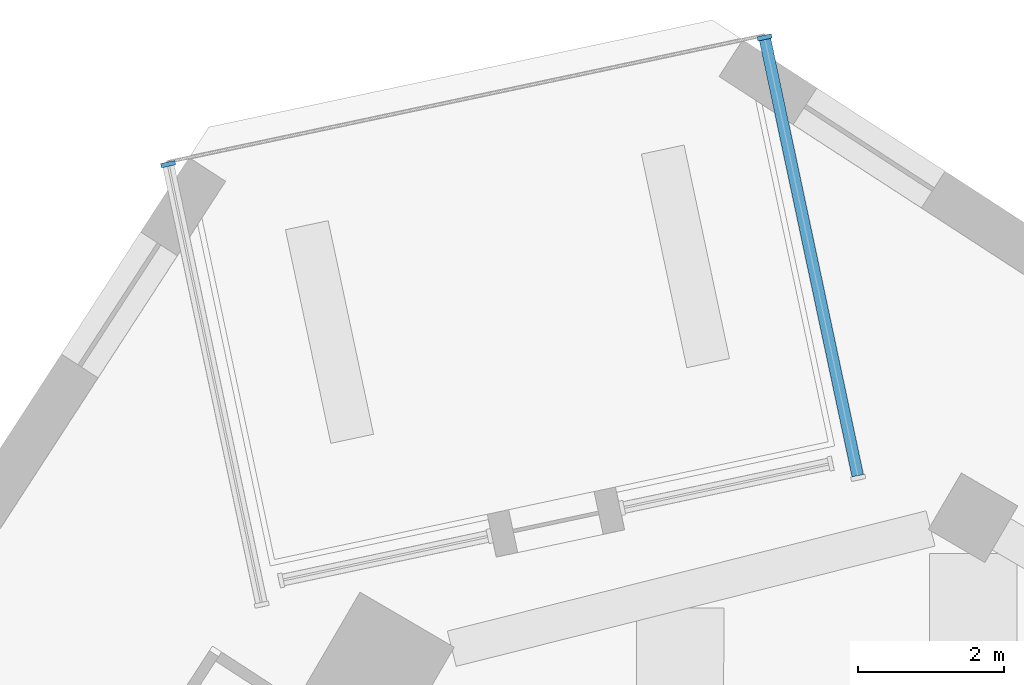
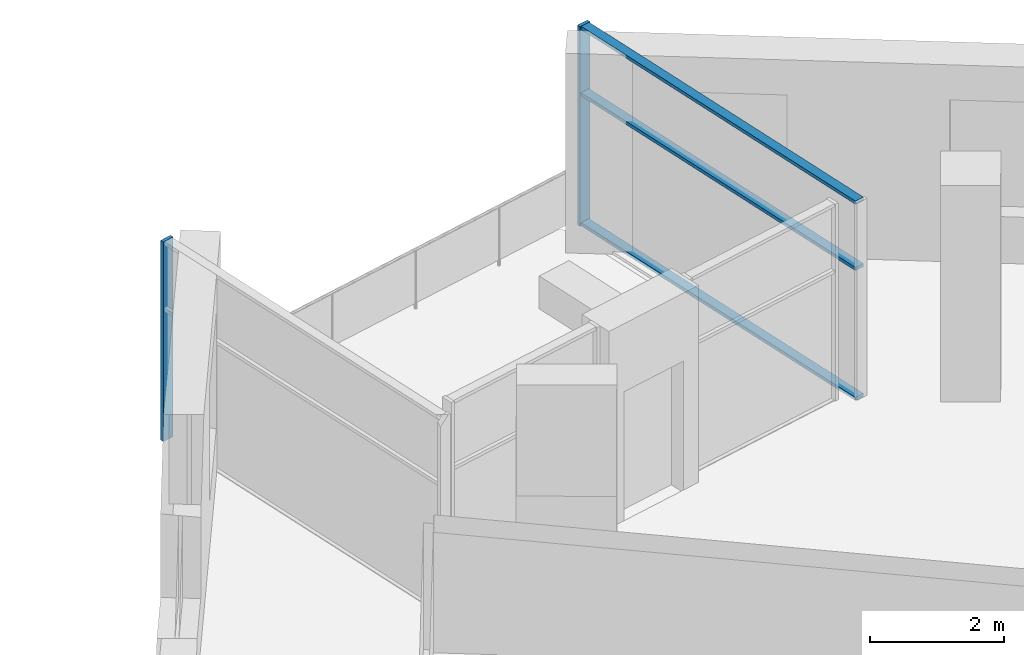
# One storey, part 4 of 12: 5 members, 2 elements without a shape of their own.
"""IFC4 building model written with IfcOpenShell, lengths in metres."""

from ifc_helpers import new_model, si_unit, direction, frame, origin, origin_2d, place, context, subcontext, project, spatial, rectangle, extrude, material, material_profile, profile_set, type_object, element, aggregate, save


model = new_model("IFC4")

# Units and contexts
model_context = context("Model", 3, precision=1e-05, world=origin(), true_north=direction((0.0, 1.0)))
body_context = subcontext(model_context, "Body", "Model", "MODEL_VIEW")
ifc_project = project(units=[si_unit("LENGTHUNIT", "METRE"), si_unit("AREAUNIT", "SQUARE_METRE"), si_unit("VOLUMEUNIT", "CUBIC_METRE"), si_unit("PLANEANGLEUNIT", "RADIAN"), si_unit("MASSUNIT", "GRAM", prefix="KILO")], contexts=[model_context])

# Site, building, storey
site_placement = place(None, origin())
site = spatial("IfcSite", under=ifc_project, at=site_placement, CompositionType="ELEMENT")
building_placement = place(site_placement, origin())
building = spatial("IfcBuilding", under=site, at=building_placement, Name="Dilmun Exchange Tower", CompositionType="ELEMENT")
storey_placement = place(building_placement, frame((0.0, 0.0, 254.89990234375)))
storey = spatial("IfcBuildingStorey", under=building, at=storey_placement, Name="L60", CompositionType="ELEMENT", Elevation=254.89990234375)

# Curtain wall, member
ifc_material_1 = material(Name="Anodised aluminium and clear glass", Category="aluminium")
curtain_wall_type = type_object("IfcCurtainWallType", Name="Garden corner glazing", PredefinedType="NOTDEFINED", material=ifc_material_1)
curtain_wall_1_placement = place(storey_placement, origin())
curtain_wall_1 = element("IfcCurtainWall", 1, at=curtain_wall_1_placement, inside=storey, type_object=curtain_wall_type, Name="Garden corner glazing run GC1.1", PredefinedType="NOTDEFINED")
ifc_material_2 = material(Name="Anodised aluminium", Category="aluminium")
ifc_material_profile_1 = material_profile(ifc_material_2, rectangle(XDim=0.199951171875, YDim=0.06005859375, at=origin_2d()), Name="AL 60x200")
ifc_profile_set_1 = profile_set([ifc_material_profile_1], Name="Anodised aluminium")
member_type_1 = type_object("IfcMemberType", Name="Garden corner glazing mullion 60 x 200", PredefinedType="MULLION", material=ifc_profile_set_1)
member_1_placement = place(storey_placement, frame((1.375, 35.10546875, 0.0), z_axis=(0.0, 0.0, 1.0), x_axis=(0.978147579121, 0.207911792498, 0.0)))
member_1 = element("IfcMember", 2, at=member_1_placement, type_object=member_type_1, Name="GC1.1 mullion 1", PredefinedType="MULLION", context=body_context, shape_type="SweptSolid", body=[
    extrude(rectangle(XDim=0.199951171875, YDim=0.06005859375, at=origin_2d()), origin(), (0.0, 0.0, 1.0), 3.64013671875),
])

curtain_wall_2_placement = place(storey_placement, origin())
curtain_wall_2 = element("IfcCurtainWall", 3, at=curtain_wall_2_placement, inside=storey, type_object=curtain_wall_type, Name="Garden corner glazing run GC3.1", PredefinedType="NOTDEFINED")
member_2_placement = place(storey_placement, frame((-6.820068359375, 33.36376953125, 0.0), z_axis=(0.0, 0.0, 1.0), x_axis=(-0.978147579121, -0.207911792498, 0.0)))
member_2 = element("IfcMember", 4, at=member_2_placement, type_object=member_type_1, Name="GC3.1 mullion 2", PredefinedType="MULLION", context=body_context, shape_type="SweptSolid", body=[
    extrude(rectangle(XDim=0.199951171875, YDim=0.06005859375, at=origin_2d()), origin(), (0.0, 0.0, 1.0), 3.64013671875),
])
aggregate(curtain_wall_2, [member_2])

# Member
ifc_material_profile_2 = material_profile(ifc_material_2, rectangle(XDim=0.159912109375, YDim=0.06005859375, at=origin_2d()), Name="AL 60x160")
ifc_profile_set_2 = profile_set([ifc_material_profile_2], Name="Anodised aluminium")
member_type_2 = type_object("IfcMemberType", Name="Garden corner glazing transom 60 x 160", PredefinedType="USERDEFINED", material=ifc_profile_set_2)
member_3_placement = place(storey_placement, frame((1.38134765625, 35.076171875, 0.030029296875), z_axis=(0.207904034352, -0.978149228134, 0.0), x_axis=(0.978149228134, 0.207904034352, 0.0)))
member_3 = element("IfcMember", 5, at=member_3_placement, type_object=member_type_2, Name="GC1.1 transom 1.1", ObjectType="TRANSOM", PredefinedType="USERDEFINED", context=body_context, shape_type="SweptSolid", body=[
    extrude(rectangle(XDim=0.159912109375, YDim=0.06005859375, at=origin_2d()), origin(), (0.0, 0.0, 1.0), 6.126220703125),
])

member_4_placement = place(storey_placement, frame((1.38134765625, 35.076171875, 2.400146484375), z_axis=(0.207904034352, -0.978149228134, 0.0), x_axis=(0.978149228134, 0.207904034352, 0.0)))
member_4 = element("IfcMember", 6, at=member_4_placement, type_object=member_type_2, Name="GC1.1 transom 1.2", ObjectType="TRANSOM", PredefinedType="USERDEFINED", context=body_context, shape_type="SweptSolid", body=[
    extrude(rectangle(XDim=0.159912109375, YDim=0.06005859375, at=origin_2d()), origin(), (0.0, 0.0, 1.0), 6.126220703125),
])

member_5_placement = place(storey_placement, frame((1.38134765625, 35.076171875, 3.610107421875), z_axis=(0.207904034352, -0.978149228134, 0.0), x_axis=(0.978149228134, 0.207904034352, 0.0)))
member_5 = element("IfcMember", 7, at=member_5_placement, type_object=member_type_2, Name="GC1.1 transom 1.3", ObjectType="TRANSOM", PredefinedType="USERDEFINED", context=body_context, shape_type="SweptSolid", body=[
    extrude(rectangle(XDim=0.159912109375, YDim=0.06005859375, at=origin_2d()), origin(), (0.0, 0.0, 1.0), 6.126220703125),
])

aggregate(curtain_wall_1, [member_1, member_3, member_4, member_5])

save(model, "model.ifc")
